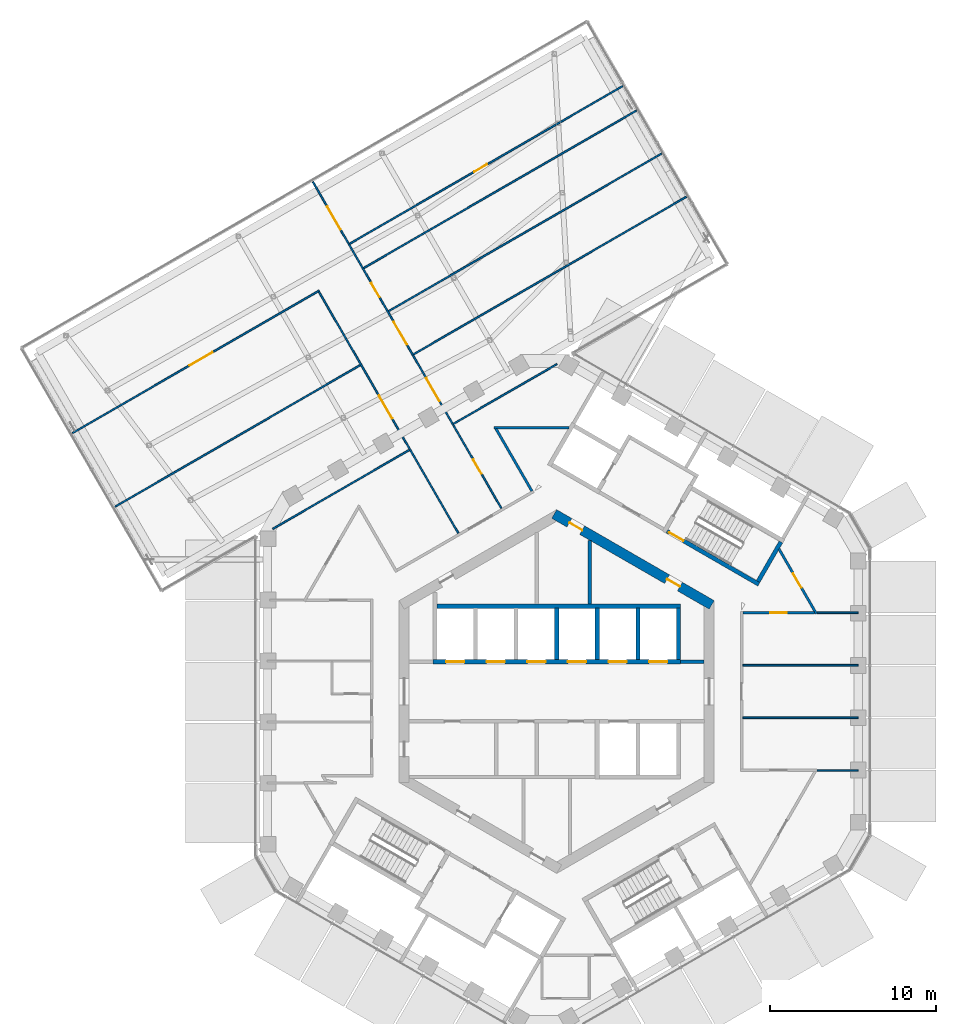
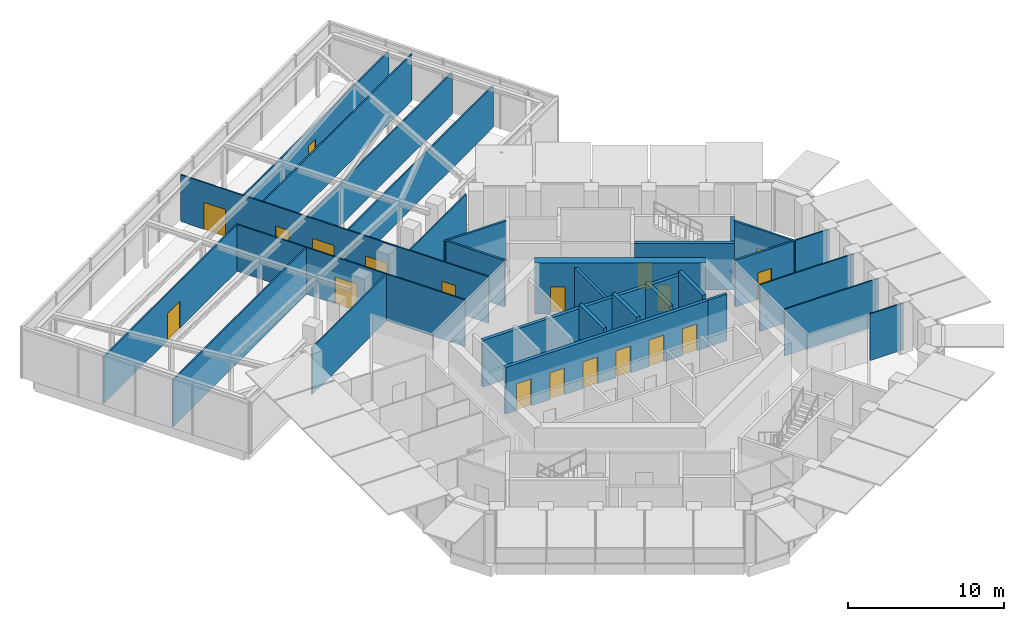
# One storey, part 21 of 27: 29 walls, 19 doors, 19 openings.
"""IFC4 building model written with IfcOpenShell, lengths in metres."""

from ifc_helpers import new_model, si_unit, direction, frame, frame_2d, origin, place, context, subcontext, project, spatial, rectangle, extrude, material, layer, layer_set, type_object, element, fill, save


model = new_model("IFC4")

# Units and contexts
model_context = context("Model", 3, precision=1e-05, world=origin(), true_north=direction((0.0, 1.0)))
body_context = subcontext(model_context, "Body", "Model", "MODEL_VIEW")
ifc_project = project(units=[si_unit("LENGTHUNIT", "METRE"), si_unit("AREAUNIT", "SQUARE_METRE"), si_unit("VOLUMEUNIT", "CUBIC_METRE"), si_unit("PLANEANGLEUNIT", "RADIAN"), si_unit("MASSUNIT", "GRAM", prefix="KILO")], contexts=[model_context])

# Site, building, storey
site_placement = place(None, origin())
site = spatial("IfcSite", under=ifc_project, at=site_placement, CompositionType="ELEMENT")
building_placement = place(site_placement, origin())
building = spatial("IfcBuilding", under=site, at=building_placement, Name="Ayvan Gate Tower", CompositionType="ELEMENT")
storey_placement = place(building_placement, frame((0.0, 0.0, 194.699951171875)))
storey = spatial("IfcBuildingStorey", under=building, at=storey_placement, Name="L52", CompositionType="ELEMENT", Elevation=194.699951171875)

# Wall, openings, doors
ifc_material_1 = material(Name="Concrete C60/75", Category="concrete")
ifc_layer_1 = layer(ifc_material_1, 0.60009765625)
ifc_layer_set_1 = layer_set([ifc_layer_1], Name="Concrete C60/75")
wall_type_1 = type_object("IfcWallType", Name="Core wall 600 C60/75", PredefinedType="SHEAR", material=ifc_layer_set_1)
wall_1_placement = place(storey_placement, frame((9.35009765625, 5.22509765625, 0.0), z_axis=(0.0, 0.0, 1.0), x_axis=(-0.866023993627, 0.500002442456, 0.0)))
wall_1 = element("IfcWall", 1, at=wall_1_placement, inside=storey, type_object=wall_type_1, Name="CORE-L52-1", PredefinedType="SHEAR", context=body_context, shape_type="SweptSolid", body=[
    extrude(rectangle(XDim=10.9697265625, YDim=0.60009765625, at=frame_2d((5.48486328125, 0.0))), origin(), (0.0, 0.0, 1.0), 4.0),
])
opening_1_placement = place(wall_1_placement, frame((9.01806640625, 0.0, 0.0)))
opening_1 = element("IfcOpeningElement", 2, at=opening_1_placement, cuts=wall_1, Name="Opening L52-D45", PredefinedType="OPENING", context=body_context, shape_type="SweptSolid", body=[
    extrude(rectangle(XDim=0.89990234375, YDim=2.10009765625, at=frame_2d((0.449951171875, 1.050048828125))), frame((0.0, 0.31005859375, 0.0), z_axis=(0.0, -1.0, 0.0), x_axis=(1.0, 0.0, 0.0)), (0.0, 0.0, 1.0), 0.6201171875),
])
opening_2_placement = place(wall_1_placement, frame((2.2109375, 0.0, 0.0)))
opening_2 = element("IfcOpeningElement", 3, at=opening_2_placement, cuts=wall_1, Name="Opening L52-D46", PredefinedType="OPENING", context=body_context, shape_type="SweptSolid", body=[
    extrude(rectangle(XDim=0.89990234375, YDim=2.10009765625, at=frame_2d((0.449951171875, 1.050048828125))), frame((0.0, 0.31005859375, 0.0), z_axis=(0.0, -1.0, 0.0), x_axis=(1.0, 0.0, 0.0)), (0.0, 0.0, 1.0), 0.6201171875),
])
ifc_material_2 = material(Name="Timber door leaf", Category="wood")
door_type_1 = type_object("IfcDoorType", Name="DT-900", OperationType="NOTDEFINED", PredefinedType="DOOR", material=ifc_material_2)
door_1_placement = place(opening_1_placement, origin())
door_1 = element("IfcDoor", 4, at=door_1_placement, inside=storey, type_object=door_type_1, Name="CD-L52-45", OperationType="SINGLE_SWING_LEFT", OverallHeight=2.10009765625, OverallWidth=0.89990234375, PredefinedType="DOOR", context=body_context, shape_type="SweptSolid", body=[
    extrude(rectangle(XDim=0.89990234375, YDim=2.10009765625, at=frame_2d((0.449951171875, 1.050048828125))), frame((0.0, 0.02490234375, 0.0), z_axis=(0.0, -1.0, 0.0), x_axis=(1.0, 0.0, 0.0)), (0.0, 0.0, 1.0), 0.050048828125),
])
fill(opening_1, door_1)
door_2_placement = place(opening_2_placement, origin())
door_2 = element("IfcDoor", 5, at=door_2_placement, inside=storey, type_object=door_type_1, Name="CD-L52-46", OperationType="SINGLE_SWING_RIGHT", OverallHeight=2.10009765625, OverallWidth=0.89990234375, PredefinedType="DOOR", context=body_context, shape_type="SweptSolid", body=[
    extrude(rectangle(XDim=0.89990234375, YDim=2.10009765625, at=frame_2d((0.449951171875, 1.050048828125))), frame((0.0, 0.02490234375, 0.0), z_axis=(0.0, -1.0, 0.0), x_axis=(1.0, 0.0, 0.0)), (0.0, 0.0, 1.0), 0.050048828125),
])
fill(opening_2, door_2)

# Walls
ifc_material_3 = material(Name="Plasterboard on steel stud", Category="steel")
ifc_layer_2 = layer(ifc_material_3, 0.14990234375)
ifc_layer_set_2 = layer_set([ifc_layer_2], Name="Plasterboard on steel stud")
wall_type_2 = type_object("IfcWallType", Name="WT-CORR-150", PredefinedType="PARTITIONING", material=ifc_layer_set_2)
wall_2_placement = place(storey_placement, frame((-3.77392578125, 15.91259765625, 0.0), z_axis=(0.0, 0.0, 1.0), x_axis=(1.0, 0.0, 0.0)))
element("IfcWall", 6, at=wall_2_placement, inside=storey, type_object=wall_type_2, Name="IW-L52-042", PredefinedType="PARTITIONING", context=body_context, shape_type="SweptSolid", body=[
    extrude(rectangle(XDim=4.522216796875, YDim=0.14990234375, at=frame_2d((2.26123046875, 0.0))), origin(), (0.0, 0.0, 1.0), 3.650146484375),
])
wall_3_placement = place(storey_placement, frame((-1.496337890625, 12.09765625, 0.0), z_axis=(0.0, 0.0, 1.0), x_axis=(-0.500038050611, 0.866003434139, 0.0)))
element("IfcWall", 7, at=wall_3_placement, inside=storey, type_object=wall_type_2, Name="IW-L52-049", PredefinedType="PARTITIONING", context=body_context, shape_type="SweptSolid", body=[
    extrude(rectangle(XDim=4.330322265625, YDim=0.14990234375, at=frame_2d((2.1650390625, 0.0))), origin(), (0.0, 0.0, 1.0), 3.650146484375),
])

# Wall, opening, door
wall_4_placement = place(storey_placement, frame((13.406494140625, 8.6044921875, 0.0), z_axis=(0.0, 0.0, 1.0), x_axis=(0.500005951055, -0.866021967914, 0.0)))
wall_4 = element("IfcWall", 8, at=wall_4_placement, inside=storey, type_object=wall_type_2, Name="IW-L52-101", PredefinedType="PARTITIONING", context=body_context, shape_type="SweptSolid", body=[
    extrude(rectangle(XDim=4.5224609375, YDim=0.14990234375, at=frame_2d((2.26123046875, 0.0))), origin(), (0.0, 0.0, 1.0), 3.650146484375),
])
opening_3_placement = place(wall_4_placement, frame((1.706298828125, 0.0, 0.0)))
opening_3 = element("IfcOpeningElement", 9, at=opening_3_placement, cuts=wall_4, Name="Opening L52-D25", PredefinedType="OPENING", context=body_context, shape_type="SweptSolid", body=[
    extrude(rectangle(XDim=1.0, YDim=2.10009765625, at=frame_2d((0.5, 1.050048828125))), frame((0.0, 0.0849609375, 0.0), z_axis=(0.0, -1.0, 0.0), x_axis=(1.0, 0.0, 0.0)), (0.0, 0.0, 1.0), 0.169921875),
])
door_type_2 = type_object("IfcDoorType", Name="DT-1000", OperationType="NOTDEFINED", PredefinedType="DOOR", material=ifc_material_2)
door_3_placement = place(opening_3_placement, origin())
door_3 = element("IfcDoor", 10, at=door_3_placement, inside=storey, type_object=door_type_2, Name="ID-L52-025", OperationType="SINGLE_SWING_LEFT", OverallHeight=2.10009765625, OverallWidth=1.0, PredefinedType="DOOR", context=body_context, shape_type="SweptSolid", body=[
    extrude(rectangle(XDim=1.0, YDim=2.10009765625, at=frame_2d((0.5, 1.050048828125))), frame((0.0, 0.02490234375, 0.0), z_axis=(0.0, -1.0, 0.0), x_axis=(1.0, 0.0, 0.0)), (0.0, 0.0, 1.0), 0.050048828125),
])
fill(opening_3, door_3)

wall_5_placement = place(storey_placement, frame((15.555419921875, 4.7529296875, 0.0), z_axis=(0.0, 0.0, 1.0), x_axis=(-1.0, 0.0, 0.0)))
wall_5 = element("IfcWall", 11, at=wall_5_placement, inside=storey, type_object=wall_type_2, Name="IW-L52-104", PredefinedType="PARTITIONING", context=body_context, shape_type="SweptSolid", body=[
    extrude(rectangle(XDim=4.330322265625, YDim=0.14990234375, at=frame_2d((2.1650390625, 0.0))), origin(), (0.0, 0.0, 1.0), 3.650146484375),
])
opening_4_placement = place(wall_5_placement, frame((1.6650390625, 0.0, 0.0)))
opening_4 = element("IfcOpeningElement", 12, at=opening_4_placement, cuts=wall_5, Name="Opening L52-D24", PredefinedType="OPENING", context=body_context, shape_type="SweptSolid", body=[
    extrude(rectangle(XDim=1.0, YDim=2.10009765625, at=frame_2d((0.5, 1.050048828125))), frame((0.0, 0.0849609375, 0.0), z_axis=(0.0, -1.0, 0.0), x_axis=(1.0, 0.0, 0.0)), (0.0, 0.0, 1.0), 0.169921875),
])
door_4_placement = place(opening_4_placement, origin())
door_4 = element("IfcDoor", 13, at=door_4_placement, inside=storey, type_object=door_type_2, Name="ID-L52-024", OperationType="SINGLE_SWING_RIGHT", OverallHeight=2.10009765625, OverallWidth=1.0, PredefinedType="DOOR", context=body_context, shape_type="SweptSolid", body=[
    extrude(rectangle(XDim=1.0, YDim=2.10009765625, at=frame_2d((0.5, 1.050048828125))), frame((0.0, 0.02490234375, 0.0), z_axis=(0.0, -1.0, 0.0), x_axis=(1.0, 0.0, 0.0)), (0.0, 0.0, 1.0), 0.050048828125),
])
fill(opening_4, door_4)

# Walls
ifc_layer_3 = layer(ifc_material_3, 0.10009765625)
ifc_layer_set_3 = layer_set([ifc_layer_3], Name="Plasterboard on steel stud")
wall_type_3 = type_object("IfcWallType", Name="WT-PART-100", PredefinedType="PARTITIONING", material=ifc_layer_set_3)
wall_6_placement = place(storey_placement, frame((-26.639404296875, 11.148681640625, 0.0), z_axis=(0.0, 0.0, 1.0), x_axis=(0.866027084608, 0.499997088717, 0.0)))
element("IfcWall", 14, at=wall_6_placement, inside=storey, type_object=wall_type_3, Name="IW-L52-000", PredefinedType="PARTITIONING", context=body_context, shape_type="SweptSolid", body=[
    extrude(rectangle(XDim=17.0830078125, YDim=0.10009765625, at=frame_2d((8.54150390625, 0.0))), origin(), (0.0, 0.0, 1.0), 3.650146484375),
])
wall_7_placement = place(storey_placement, frame((-17.132080078125, 9.810546875, 0.0), z_axis=(0.0, 0.0, 1.0), x_axis=(0.866021566356, 0.500006646563, 0.0)))
element("IfcWall", 15, at=wall_7_placement, inside=storey, type_object=wall_type_3, Name="IW-L52-002", PredefinedType="PARTITIONING", context=body_context, shape_type="SweptSolid", body=[
    extrude(rectangle(XDim=9.518310546875, YDim=0.10009765625, at=frame_2d((4.75927734375, 0.0))), origin(), (0.0, 0.0, 1.0), 3.650146484375),
])

# Wall, opening, door
wall_8_placement = place(storey_placement, frame((-14.32373046875, 24.18359375, 0.0), z_axis=(0.0, 0.0, 1.0), x_axis=(-0.866026824701, -0.499997538892, 0.0)))
wall_8 = element("IfcWall", 16, at=wall_8_placement, inside=storey, type_object=wall_type_3, Name="IW-L52-007", PredefinedType="PARTITIONING", context=body_context, shape_type="SweptSolid", body=[
    extrude(rectangle(XDim=17.18310546875, YDim=0.10009765625, at=frame_2d((8.591552734375, 0.0))), origin(), (0.0, 0.0, 1.0), 3.650146484375),
])
opening_5_placement = place(wall_8_placement, frame((7.443603515625, 0.0, 0.0)))
opening_5 = element("IfcOpeningElement", 17, at=opening_5_placement, cuts=wall_8, Name="Opening L52-D43", PredefinedType="OPENING", context=body_context, shape_type="SweptSolid", body=[
    extrude(rectangle(XDim=1.60009765625, YDim=2.10009765625, at=frame_2d((0.800048828125, 1.050048828125))), frame((0.0, 0.06005859375, 0.0), z_axis=(0.0, -1.0, 0.0), x_axis=(1.0, 0.0, 0.0)), (0.0, 0.0, 1.0), 0.1201171875),
])
door_type_3 = type_object("IfcDoorType", Name="DT-1600", OperationType="NOTDEFINED", PredefinedType="DOOR", material=ifc_material_2)
door_5_placement = place(opening_5_placement, origin())
door_5 = element("IfcDoor", 18, at=door_5_placement, inside=storey, type_object=door_type_3, Name="ID-L52-043", OperationType="SINGLE_SWING_LEFT", OverallHeight=2.10009765625, OverallWidth=1.60009765625, PredefinedType="DOOR", context=body_context, shape_type="SweptSolid", body=[
    extrude(rectangle(XDim=1.60009765625, YDim=2.10009765625, at=frame_2d((0.800048828125, 1.050048828125))), frame((0.0, 0.02490234375, 0.0), z_axis=(0.0, -1.0, 0.0), x_axis=(1.0, 0.0, 0.0)), (0.0, 0.0, 1.0), 0.050048828125),
])
fill(opening_5, door_5)

# Wall, openings, doors
wall_9_placement = place(storey_placement, frame((-14.70751953125, 30.748291015625, 0.0), z_axis=(0.0, 0.0, 1.0), x_axis=(0.499993923875, -0.866028911808, 0.0)))
wall_9 = element("IfcWall", 19, at=wall_9_placement, inside=storey, type_object=wall_type_3, Name="IW-L52-008", PredefinedType="PARTITIONING", context=body_context, shape_type="SweptSolid", body=[
    extrude(rectangle(XDim=22.757568359375, YDim=0.10009765625, at=frame_2d((11.37890625, 0.0))), origin(), (0.0, 0.0, 1.0), 3.650146484375),
])
opening_6_placement = place(wall_9_placement, frame((1.73095703125, 0.0, 0.0)))
opening_6 = element("IfcOpeningElement", 20, at=opening_6_placement, cuts=wall_9, Name="Opening L52-D35", PredefinedType="OPENING", context=body_context, shape_type="SweptSolid", body=[
    extrude(rectangle(XDim=1.60009765625, YDim=2.10009765625, at=frame_2d((0.800048828125, 1.050048828125))), frame((0.0, 0.06005859375, 0.0), z_axis=(0.0, -1.0, 0.0), x_axis=(1.0, 0.0, 0.0)), (0.0, 0.0, 1.0), 0.1201171875),
])
opening_7_placement = place(wall_9_placement, frame((19.336181640625, 0.0, 0.0)))
opening_7 = element("IfcOpeningElement", 21, at=opening_7_placement, cuts=wall_9, Name="Opening L52-D36", PredefinedType="OPENING", context=body_context, shape_type="SweptSolid", body=[
    extrude(rectangle(XDim=1.0, YDim=2.10009765625, at=frame_2d((0.5, 1.050048828125))), frame((0.0, 0.06005859375, 0.0), z_axis=(0.0, -1.0, 0.0), x_axis=(1.0, 0.0, 0.0)), (0.0, 0.0, 1.0), 0.1201171875),
])
opening_8_placement = place(wall_9_placement, frame((13.666748046875, 0.0, 0.0)))
opening_8 = element("IfcOpeningElement", 22, at=opening_8_placement, cuts=wall_9, Name="Opening L52-D37", PredefinedType="OPENING", context=body_context, shape_type="SweptSolid", body=[
    extrude(rectangle(XDim=1.60009765625, YDim=2.10009765625, at=frame_2d((0.800048828125, 1.050048828125))), frame((0.0, 0.06005859375, 0.0), z_axis=(0.0, -1.0, 0.0), x_axis=(1.0, 0.0, 0.0)), (0.0, 0.0, 1.0), 0.1201171875),
])
opening_9_placement = place(wall_9_placement, frame((9.74609375, 0.0, 0.0)))
opening_9 = element("IfcOpeningElement", 23, at=opening_9_placement, cuts=wall_9, Name="Opening L52-D38", PredefinedType="OPENING", context=body_context, shape_type="SweptSolid", body=[
    extrude(rectangle(XDim=1.60009765625, YDim=2.10009765625, at=frame_2d((0.800048828125, 1.050048828125))), frame((0.0, 0.06005859375, 0.0), z_axis=(0.0, -1.0, 0.0), x_axis=(1.0, 0.0, 0.0)), (0.0, 0.0, 1.0), 0.1201171875),
])
opening_10_placement = place(wall_9_placement, frame((7.041015625, 0.0, 0.0)))
opening_10 = element("IfcOpeningElement", 24, at=opening_10_placement, cuts=wall_9, Name="Opening L52-D39", PredefinedType="OPENING", context=body_context, shape_type="SweptSolid", body=[
    extrude(rectangle(XDim=1.0, YDim=2.10009765625, at=frame_2d((0.5, 1.050048828125))), frame((0.0, 0.06005859375, 0.0), z_axis=(0.0, -1.0, 0.0), x_axis=(1.0, 0.0, 0.0)), (0.0, 0.0, 1.0), 0.1201171875),
])
door_6_placement = place(opening_7_placement, origin())
door_6 = element("IfcDoor", 25, at=door_6_placement, inside=storey, type_object=door_type_2, Name="ID-L52-036", OperationType="SINGLE_SWING_RIGHT", OverallHeight=2.10009765625, OverallWidth=1.0, PredefinedType="DOOR", context=body_context, shape_type="SweptSolid", body=[
    extrude(rectangle(XDim=1.0, YDim=2.10009765625, at=frame_2d((0.5, 1.050048828125))), frame((0.0, 0.02490234375, 0.0), z_axis=(0.0, -1.0, 0.0), x_axis=(1.0, 0.0, 0.0)), (0.0, 0.0, 1.0), 0.050048828125),
])
fill(opening_7, door_6)
door_7_placement = place(opening_10_placement, origin())
door_7 = element("IfcDoor", 26, at=door_7_placement, inside=storey, type_object=door_type_2, Name="ID-L52-039", OperationType="SINGLE_SWING_LEFT", OverallHeight=2.10009765625, OverallWidth=1.0, PredefinedType="DOOR", context=body_context, shape_type="SweptSolid", body=[
    extrude(rectangle(XDim=1.0, YDim=2.10009765625, at=frame_2d((0.5, 1.050048828125))), frame((0.0, 0.02490234375, 0.0), z_axis=(0.0, -1.0, 0.0), x_axis=(1.0, 0.0, 0.0)), (0.0, 0.0, 1.0), 0.050048828125),
])
fill(opening_10, door_7)
door_8_placement = place(opening_6_placement, origin())
door_8 = element("IfcDoor", 27, at=door_8_placement, inside=storey, type_object=door_type_3, Name="ID-L52-035", OperationType="SINGLE_SWING_LEFT", OverallHeight=2.10009765625, OverallWidth=1.60009765625, PredefinedType="DOOR", context=body_context, shape_type="SweptSolid", body=[
    extrude(rectangle(XDim=1.60009765625, YDim=2.10009765625, at=frame_2d((0.800048828125, 1.050048828125))), frame((0.0, 0.02490234375, 0.0), z_axis=(0.0, -1.0, 0.0), x_axis=(1.0, 0.0, 0.0)), (0.0, 0.0, 1.0), 0.050048828125),
])
fill(opening_6, door_8)
door_9_placement = place(opening_8_placement, origin())
door_9 = element("IfcDoor", 28, at=door_9_placement, inside=storey, type_object=door_type_3, Name="ID-L52-037", OperationType="SINGLE_SWING_LEFT", OverallHeight=2.10009765625, OverallWidth=1.60009765625, PredefinedType="DOOR", context=body_context, shape_type="SweptSolid", body=[
    extrude(rectangle(XDim=1.60009765625, YDim=2.10009765625, at=frame_2d((0.800048828125, 1.050048828125))), frame((0.0, 0.02490234375, 0.0), z_axis=(0.0, -1.0, 0.0), x_axis=(1.0, 0.0, 0.0)), (0.0, 0.0, 1.0), 0.050048828125),
])
fill(opening_8, door_9)
door_10_placement = place(opening_9_placement, origin())
door_10 = element("IfcDoor", 29, at=door_10_placement, inside=storey, type_object=door_type_3, Name="ID-L52-038", OperationType="SINGLE_SWING_RIGHT", OverallHeight=2.10009765625, OverallWidth=1.60009765625, PredefinedType="DOOR", context=body_context, shape_type="SweptSolid", body=[
    extrude(rectangle(XDim=1.60009765625, YDim=2.10009765625, at=frame_2d((0.800048828125, 1.050048828125))), frame((0.0, 0.02490234375, 0.0), z_axis=(0.0, -1.0, 0.0), x_axis=(1.0, 0.0, 0.0)), (0.0, 0.0, 1.0), 0.050048828125),
])
fill(opening_9, door_10)

# Wall, opening, door
wall_10_placement = place(storey_placement, frame((-14.342041015625, 24.115234375, 0.0), z_axis=(0.0, 0.0, 1.0), x_axis=(0.500000372387, -0.866025188786, 0.0)))
wall_10 = element("IfcWall", 30, at=wall_10_placement, inside=storey, type_object=wall_type_3, Name="IW-L52-020", PredefinedType="PARTITIONING", context=body_context, shape_type="SweptSolid", body=[
    extrude(rectangle(XDim=16.83056640625, YDim=0.10009765625, at=frame_2d((8.415283203125, 0.0))), origin(), (0.0, 0.0, 1.0), 3.650146484375),
])
opening_11_placement = place(wall_10_placement, frame((7.237060546875, 0.0, 0.0)))
opening_11 = element("IfcOpeningElement", 31, at=opening_11_placement, cuts=wall_10, Name="Opening L52-D42", PredefinedType="OPENING", context=body_context, shape_type="SweptSolid", body=[
    extrude(rectangle(XDim=1.60009765625, YDim=2.10009765625, at=frame_2d((0.800048828125, 1.050048828125))), frame((0.0, 0.06005859375, 0.0), z_axis=(0.0, -1.0, 0.0), x_axis=(1.0, 0.0, 0.0)), (0.0, 0.0, 1.0), 0.1201171875),
])
door_11_placement = place(opening_11_placement, origin())
door_11 = element("IfcDoor", 32, at=door_11_placement, inside=storey, type_object=door_type_3, Name="ID-L52-042", OperationType="SINGLE_SWING_RIGHT", OverallHeight=2.10009765625, OverallWidth=1.60009765625, PredefinedType="DOOR", context=body_context, shape_type="SweptSolid", body=[
    extrude(rectangle(XDim=1.60009765625, YDim=2.10009765625, at=frame_2d((0.800048828125, 1.050048828125))), frame((0.0, 0.02490234375, 0.0), z_axis=(0.0, -1.0, 0.0), x_axis=(1.0, 0.0, 0.0)), (0.0, 0.0, 1.0), 0.050048828125),
])
fill(opening_11, door_11)

# Walls
wall_11_placement = place(storey_placement, frame((-11.64501953125, 25.543701171875, 0.0), z_axis=(0.0, 0.0, 1.0), x_axis=(0.866029456041, 0.49999298122, 0.0)))
element("IfcWall", 33, at=wall_11_placement, inside=storey, type_object=wall_type_3, Name="IW-L52-021", PredefinedType="PARTITIONING", context=body_context, shape_type="SweptSolid", body=[
    extrude(rectangle(XDim=19.009033203125, YDim=0.10009765625, at=frame_2d((9.50439453125, 0.0))), origin(), (0.0, 0.0, 1.0), 3.650146484375),
])
wall_12_placement = place(storey_placement, frame((-10.142333984375, 22.941162109375, 0.0), z_axis=(0.0, 0.0, 1.0), x_axis=(0.866020683813, 0.50000817514, 0.0)))
element("IfcWall", 34, at=wall_12_placement, inside=storey, type_object=wall_type_3, Name="IW-L52-025", PredefinedType="PARTITIONING", context=body_context, shape_type="SweptSolid", body=[
    extrude(rectangle(XDim=19.009033203125, YDim=0.10009765625, at=frame_2d((9.50439453125, 0.0))), origin(), (0.0, 0.0, 1.0), 3.275146484375),
])
wall_13_placement = place(storey_placement, frame((-8.639892578125, 20.338623046875, 0.0), z_axis=(0.0, 0.0, 1.0), x_axis=(0.866023894726, 0.500002613756, 0.0)))
element("IfcWall", 35, at=wall_13_placement, inside=storey, type_object=wall_type_3, Name="IW-L52-029", PredefinedType="PARTITIONING", context=body_context, shape_type="SweptSolid", body=[
    extrude(rectangle(XDim=19.00927734375, YDim=0.10009765625, at=frame_2d((9.504638671875, 0.0))), origin(), (0.0, 0.0, 1.0), 3.275146484375),
])
wall_14_placement = place(storey_placement, frame((-6.221923828125, 16.150634765625, 0.0), z_axis=(0.0, 0.0, 1.0), x_axis=(0.866025419677, 0.499999972474, 0.0)))
element("IfcWall", 36, at=wall_14_placement, inside=storey, type_object=wall_type_3, Name="IW-L52-039", PredefinedType="PARTITIONING", context=body_context, shape_type="SweptSolid", body=[
    extrude(rectangle(XDim=7.208984375, YDim=0.10009765625, at=frame_2d((3.6044921875, 0.0))), origin(), (0.0, 0.0, 1.0), 3.650146484375),
])

# Wall, opening, door
wall_15_placement = place(storey_placement, frame((3.970947265625, 36.513916015625, 0.0), z_axis=(0.0, 0.0, 1.0), x_axis=(-0.866026245231, -0.499998542569, 0.0)))
wall_15 = element("IfcWall", 37, at=wall_15_placement, inside=storey, type_object=wall_type_3, Name="IW-L52-072", PredefinedType="PARTITIONING", context=body_context, shape_type="SweptSolid", body=[
    extrude(rectangle(XDim=19.0087890625, YDim=0.10009765625, at=frame_2d((9.50439453125, 0.0))), origin(), (0.0, 0.0, 1.0), 3.275146484375),
])
opening_12_placement = place(wall_15_placement, frame((9.427490234375, 0.0, 0.0)))
opening_12 = element("IfcOpeningElement", 38, at=opening_12_placement, cuts=wall_15, Name="Opening L52-D40", PredefinedType="OPENING", context=body_context, shape_type="SweptSolid", body=[
    extrude(rectangle(XDim=0.89990234375, YDim=2.10009765625, at=frame_2d((0.449951171875, 1.050048828125))), frame((0.0, 0.06005859375, 0.0), z_axis=(0.0, -1.0, 0.0), x_axis=(1.0, 0.0, 0.0)), (0.0, 0.0, 1.0), 0.1201171875),
])
door_12_placement = place(opening_12_placement, origin())
door_12 = element("IfcDoor", 39, at=door_12_placement, inside=storey, type_object=door_type_1, Name="ID-L52-040", OperationType="SINGLE_SWING_RIGHT", OverallHeight=2.10009765625, OverallWidth=0.89990234375, PredefinedType="DOOR", context=body_context, shape_type="SweptSolid", body=[
    extrude(rectangle(XDim=0.89990234375, YDim=2.10009765625, at=frame_2d((0.449951171875, 1.050048828125))), frame((0.0, 0.02490234375, 0.0), z_axis=(0.0, -1.0, 0.0), x_axis=(1.0, 0.0, 0.0)), (0.0, 0.0, 1.0), 0.050048828125),
])
fill(opening_12, door_12)

# Walls
for number, where, z_axis, x_axis, name in (
    (40, (11.22509765625, -1.584228515625, 0.0), (0.0, 0.0, 1.0), (1.0, 0.0, 0.0), "IW-L52-097"),
    (41, (11.22509765625, 1.584228515625, 0.0), (0.0, 0.0, 1.0), (1.0, 0.0, 0.0), "IW-L52-099"),
):
    element("IfcWall", number, at=place(storey_placement, frame(where, z_axis=z_axis, x_axis=x_axis)), inside=storey, type_object=wall_type_3, Name=name, PredefinedType="PARTITIONING", context=body_context, shape_type="SweptSolid", body=[
        extrude(rectangle(XDim=6.96142578125, YDim=0.10009765625, at=frame_2d((3.480712890625, 0.0))), origin(), (0.0, 0.0, 1.0), 3.650146484375),
    ])
wall_16_placement = place(storey_placement, frame((15.705322265625, 4.7529296875, 0.0), z_axis=(0.0, 0.0, 1.0), x_axis=(1.0, 0.0, 0.0)))
element("IfcWall", 42, at=wall_16_placement, inside=storey, type_object=wall_type_3, Name="IW-L52-105", PredefinedType="PARTITIONING", context=body_context, shape_type="SweptSolid", body=[
    extrude(rectangle(XDim=2.481201171875, YDim=0.10009765625, at=frame_2d((1.24072265625, 0.0))), origin(), (0.0, 0.0, 1.0), 3.650146484375),
])
wall_17_placement = place(storey_placement, frame((18.1865234375, -4.7529296875, 0.0), z_axis=(0.0, 0.0, 1.0), x_axis=(-1.0, 0.0, 0.0)))
element("IfcWall", 43, at=wall_17_placement, inside=storey, type_object=wall_type_3, Name="IW-L52-107", PredefinedType="PARTITIONING", context=body_context, shape_type="SweptSolid", body=[
    extrude(rectangle(XDim=2.4814453125, YDim=0.10009765625, at=frame_2d((1.24072265625, 0.0))), origin(), (0.0, 0.0, 1.0), 3.650146484375),
])
ifc_layer_4 = layer(ifc_material_3, 0.199951171875)
ifc_layer_set_4 = layer_set([ifc_layer_4], Name="Plasterboard on steel stud")
wall_type_4 = type_object("IfcWallType", Name="WT-RATED-200", PredefinedType="PARTITIONING", material=ifc_layer_set_4)
wall_18_placement = place(storey_placement, frame((2.0, 9.1220703125, 0.0), z_axis=(0.0, 0.0, 1.0), x_axis=(0.0, -1.0, 0.0)))
element("IfcWall", 44, at=wall_18_placement, inside=storey, type_object=wall_type_4, Name="IW-L52-066", PredefinedType="PARTITIONING", context=body_context, shape_type="SweptSolid", body=[
    extrude(rectangle(XDim=3.84716796875, YDim=0.199951171875, at=frame_2d((1.923583984375, 0.0))), origin(), (0.0, 0.0, 1.0), 3.650146484375),
])
wall_19_placement = place(storey_placement, frame((7.474853515625, 1.800048828125, 0.0), z_axis=(0.0, 0.0, 1.0), x_axis=(1.0, 0.0, 0.0)))
element("IfcWall", 45, at=wall_19_placement, inside=storey, type_object=wall_type_4, Name="IW-L52-086", PredefinedType="PARTITIONING", context=body_context, shape_type="SweptSolid", body=[
    extrude(rectangle(XDim=1.425048828125, YDim=0.199951171875, at=frame_2d((0.71240234375, 0.0))), origin(), (0.0, 0.0, 1.0), 3.650146484375),
])

# Wall, openings, doors
ifc_material_4 = material(Name="Concrete C50/60", Category="concrete")
ifc_layer_5 = layer(ifc_material_4, 0.25)
ifc_layer_set_5 = layer_set([ifc_layer_5], Name="Concrete C50/60")
wall_type_5 = type_object("IfcWallType", Name="WT-RC-250", PredefinedType="SHEAR", material=ifc_layer_set_5)
wall_20_placement = place(storey_placement, frame((-7.47509765625, 1.800048828125, 0.0), z_axis=(0.0, 0.0, 1.0), x_axis=(1.0, 0.0, 0.0)))
wall_20 = element("IfcWall", 46, at=wall_20_placement, inside=storey, type_object=wall_type_5, Name="IW-L52-034", PredefinedType="SHEAR", context=body_context, shape_type="SweptSolid", body=[
    extrude(rectangle(XDim=14.9501953125, YDim=0.25, at=frame_2d((7.47509765625, 0.0))), origin(), (0.0, 0.0, 1.0), 3.650146484375),
])
opening_13_placement = place(wall_20_placement, frame((0.800048828125, 0.0, 0.0)))
opening_13 = element("IfcOpeningElement", 47, at=opening_13_placement, cuts=wall_20, Name="Opening L52-LD-HR1", PredefinedType="OPENING", context=body_context, shape_type="SweptSolid", body=[
    extrude(rectangle(XDim=1.10009765625, YDim=2.10009765625, at=frame_2d((0.550048828125, 1.050048828125))), frame((0.0, 0.135009765625, 0.0), z_axis=(0.0, -1.0, 0.0), x_axis=(1.0, 0.0, 0.0)), (0.0, 0.0, 1.0), 0.27001953125),
])
opening_14_placement = place(wall_20_placement, frame((3.25, 0.0, 0.0)))
opening_14 = element("IfcOpeningElement", 48, at=opening_14_placement, cuts=wall_20, Name="Opening L52-LD-HR2", PredefinedType="OPENING", context=body_context, shape_type="SweptSolid", body=[
    extrude(rectangle(XDim=1.10009765625, YDim=2.10009765625, at=frame_2d((0.550048828125, 1.050048828125))), frame((0.0, 0.135009765625, 0.0), z_axis=(0.0, -1.0, 0.0), x_axis=(1.0, 0.0, 0.0)), (0.0, 0.0, 1.0), 0.27001953125),
])
opening_15_placement = place(wall_20_placement, frame((5.7001953125, 0.0, 0.0)))
opening_15 = element("IfcOpeningElement", 49, at=opening_15_placement, cuts=wall_20, Name="Opening L52-LD-HR3", PredefinedType="OPENING", context=body_context, shape_type="SweptSolid", body=[
    extrude(rectangle(XDim=1.10009765625, YDim=2.10009765625, at=frame_2d((0.550048828125, 1.050048828125))), frame((0.0, 0.135009765625, 0.0), z_axis=(0.0, -1.0, 0.0), x_axis=(1.0, 0.0, 0.0)), (0.0, 0.0, 1.0), 0.27001953125),
])
opening_16_placement = place(wall_20_placement, frame((8.150146484375, 0.0, 0.0)))
opening_16 = element("IfcOpeningElement", 50, at=opening_16_placement, cuts=wall_20, Name="Opening L52-LD-HR4", PredefinedType="OPENING", context=body_context, shape_type="SweptSolid", body=[
    extrude(rectangle(XDim=1.10009765625, YDim=2.10009765625, at=frame_2d((0.550048828125, 1.050048828125))), frame((0.0, 0.135009765625, 0.0), z_axis=(0.0, -1.0, 0.0), x_axis=(1.0, 0.0, 0.0)), (0.0, 0.0, 1.0), 0.27001953125),
])
opening_17_placement = place(wall_20_placement, frame((10.60009765625, 0.0, 0.0)))
opening_17 = element("IfcOpeningElement", 51, at=opening_17_placement, cuts=wall_20, Name="Opening L52-LD-HR5", PredefinedType="OPENING", context=body_context, shape_type="SweptSolid", body=[
    extrude(rectangle(XDim=1.10009765625, YDim=2.10009765625, at=frame_2d((0.550048828125, 1.050048828125))), frame((0.0, 0.135009765625, 0.0), z_axis=(0.0, -1.0, 0.0), x_axis=(1.0, 0.0, 0.0)), (0.0, 0.0, 1.0), 0.27001953125),
])
opening_18_placement = place(wall_20_placement, frame((13.050048828125, 0.0, 0.0)))
opening_18 = element("IfcOpeningElement", 52, at=opening_18_placement, cuts=wall_20, Name="Opening L52-LD-HR6", PredefinedType="OPENING", context=body_context, shape_type="SweptSolid", body=[
    extrude(rectangle(XDim=1.10009765625, YDim=2.10009765625, at=frame_2d((0.550048828125, 1.050048828125))), frame((0.0, 0.135009765625, 0.0), z_axis=(0.0, -1.0, 0.0), x_axis=(1.0, 0.0, 0.0)), (0.0, 0.0, 1.0), 0.27001953125),
])
ifc_material_5 = material(Name="Stainless steel landing door", Category="steel")
door_type_4 = type_object("IfcDoorType", Name="DT-LANDING-1100", OperationType="SLIDING_TO_LEFT", PredefinedType="DOOR", material=ifc_material_5)
door_13_placement = place(opening_13_placement, origin())
door_13 = element("IfcDoor", 53, at=door_13_placement, inside=storey, type_object=door_type_4, Name="ID-L52-001", OperationType="SLIDING_TO_LEFT", OverallHeight=2.10009765625, OverallWidth=1.10009765625, PredefinedType="DOOR", context=body_context, shape_type="SweptSolid", body=[
    extrude(rectangle(XDim=1.10009765625, YDim=2.10009765625, at=frame_2d((0.550048828125, 1.050048828125))), frame((0.0, 0.02490234375, 0.0), z_axis=(0.0, -1.0, 0.0), x_axis=(1.0, 0.0, 0.0)), (0.0, 0.0, 1.0), 0.050048828125),
])
fill(opening_13, door_13)
door_14_placement = place(opening_14_placement, origin())
door_14 = element("IfcDoor", 54, at=door_14_placement, inside=storey, type_object=door_type_4, Name="ID-L52-002", OperationType="SLIDING_TO_LEFT", OverallHeight=2.10009765625, OverallWidth=1.10009765625, PredefinedType="DOOR", context=body_context, shape_type="SweptSolid", body=[
    extrude(rectangle(XDim=1.10009765625, YDim=2.10009765625, at=frame_2d((0.550048828125, 1.050048828125))), frame((0.0, 0.02490234375, 0.0), z_axis=(0.0, -1.0, 0.0), x_axis=(1.0, 0.0, 0.0)), (0.0, 0.0, 1.0), 0.050048828125),
])
fill(opening_14, door_14)
door_15_placement = place(opening_15_placement, origin())
door_15 = element("IfcDoor", 55, at=door_15_placement, inside=storey, type_object=door_type_4, Name="ID-L52-003", OperationType="SLIDING_TO_LEFT", OverallHeight=2.10009765625, OverallWidth=1.10009765625, PredefinedType="DOOR", context=body_context, shape_type="SweptSolid", body=[
    extrude(rectangle(XDim=1.10009765625, YDim=2.10009765625, at=frame_2d((0.550048828125, 1.050048828125))), frame((0.0, 0.02490234375, 0.0), z_axis=(0.0, -1.0, 0.0), x_axis=(1.0, 0.0, 0.0)), (0.0, 0.0, 1.0), 0.050048828125),
])
fill(opening_15, door_15)
door_16_placement = place(opening_16_placement, origin())
door_16 = element("IfcDoor", 56, at=door_16_placement, inside=storey, type_object=door_type_4, Name="ID-L52-004", OperationType="SLIDING_TO_LEFT", OverallHeight=2.10009765625, OverallWidth=1.10009765625, PredefinedType="DOOR", context=body_context, shape_type="SweptSolid", body=[
    extrude(rectangle(XDim=1.10009765625, YDim=2.10009765625, at=frame_2d((0.550048828125, 1.050048828125))), frame((0.0, 0.02490234375, 0.0), z_axis=(0.0, -1.0, 0.0), x_axis=(1.0, 0.0, 0.0)), (0.0, 0.0, 1.0), 0.050048828125),
])
fill(opening_16, door_16)
door_17_placement = place(opening_17_placement, origin())
door_17 = element("IfcDoor", 57, at=door_17_placement, inside=storey, type_object=door_type_4, Name="ID-L52-005", OperationType="SLIDING_TO_LEFT", OverallHeight=2.10009765625, OverallWidth=1.10009765625, PredefinedType="DOOR", context=body_context, shape_type="SweptSolid", body=[
    extrude(rectangle(XDim=1.10009765625, YDim=2.10009765625, at=frame_2d((0.550048828125, 1.050048828125))), frame((0.0, 0.02490234375, 0.0), z_axis=(0.0, -1.0, 0.0), x_axis=(1.0, 0.0, 0.0)), (0.0, 0.0, 1.0), 0.050048828125),
])
fill(opening_17, door_17)
door_18_placement = place(opening_18_placement, origin())
door_18 = element("IfcDoor", 58, at=door_18_placement, inside=storey, type_object=door_type_4, Name="ID-L52-006", OperationType="SLIDING_TO_LEFT", OverallHeight=2.10009765625, OverallWidth=1.10009765625, PredefinedType="DOOR", context=body_context, shape_type="SweptSolid", body=[
    extrude(rectangle(XDim=1.10009765625, YDim=2.10009765625, at=frame_2d((0.550048828125, 1.050048828125))), frame((0.0, 0.02490234375, 0.0), z_axis=(0.0, -1.0, 0.0), x_axis=(1.0, 0.0, 0.0)), (0.0, 0.0, 1.0), 0.050048828125),
])
fill(opening_18, door_18)

# Walls
wall_21_placement = place(storey_placement, frame((-7.22509765625, 5.14990234375, 0.0), z_axis=(0.0, 0.0, 1.0), x_axis=(1.0, 0.0, 0.0)))
element("IfcWall", 59, at=wall_21_placement, inside=storey, type_object=wall_type_5, Name="IW-L52-036", PredefinedType="SHEAR", context=body_context, shape_type="SweptSolid", body=[
    extrude(rectangle(XDim=14.7001953125, YDim=0.25, at=frame_2d((7.35009765625, 0.0))), origin(), (0.0, 0.0, 1.0), 3.650146484375),
])
for number, where, z_axis, x_axis, name in (
    (60, (0.0, 5.02490234375, 0.0), (0.0, 0.0, 1.0), (0.0, -1.0, 0.0), "IW-L52-058"),
    (61, (2.449951171875, 5.02490234375, 0.0), (0.0, 0.0, 1.0), (0.0, -1.0, 0.0), "IW-L52-068"),
    (62, (4.89990234375, 5.02490234375, 0.0), (0.0, 0.0, 1.0), (0.0, -1.0, 0.0), "IW-L52-078"),
    (63, (7.35009765625, 5.02490234375, 0.0), (0.0, 0.0, 1.0), (0.0, -1.0, 0.0), "IW-L52-088"),
):
    element("IfcWall", number, at=place(storey_placement, frame(where, z_axis=z_axis, x_axis=x_axis)), inside=storey, type_object=wall_type_5, Name=name, PredefinedType="SHEAR", context=body_context, shape_type="SweptSolid", body=[
        extrude(rectangle(XDim=3.099853515625, YDim=0.25, at=frame_2d((1.5498046875, 0.0))), origin(), (0.0, 0.0, 1.0), 4.0),
    ])

# Wall, opening, door
wall_22_placement = place(storey_placement, frame((12.193603515625, 6.469970703125, 0.0), z_axis=(0.0, 0.0, 1.0), x_axis=(-0.866025499775, 0.499999833739, 0.0)))
wall_22 = element("IfcWall", 64, at=wall_22_placement, inside=storey, type_object=wall_type_5, Name="IW-L52-100", PredefinedType="SHEAR", context=body_context, shape_type="SweptSolid", body=[
    extrude(rectangle(XDim=6.39990234375, YDim=0.25, at=frame_2d((3.199951171875, 0.0))), origin(), (0.0, 0.0, 1.0), 3.650146484375),
])
opening_19_placement = place(wall_22_placement, frame((5.25, 0.0, 0.0)))
opening_19 = element("IfcOpeningElement", 65, at=opening_19_placement, cuts=wall_22, Name="Opening L52-D11", PredefinedType="OPENING", context=body_context, shape_type="SweptSolid", body=[
    extrude(rectangle(XDim=1.0, YDim=2.10009765625, at=frame_2d((0.5, 1.050048828125))), frame((0.0, 0.135009765625, 0.0), z_axis=(0.0, -1.0, 0.0), x_axis=(1.0, 0.0, 0.0)), (0.0, 0.0, 1.0), 0.27001953125),
])
door_19_placement = place(opening_19_placement, origin())
door_19 = element("IfcDoor", 66, at=door_19_placement, inside=storey, type_object=door_type_2, Name="ID-L52-011", OperationType="SINGLE_SWING_LEFT", OverallHeight=2.10009765625, OverallWidth=1.0, PredefinedType="DOOR", context=body_context, shape_type="SweptSolid", body=[
    extrude(rectangle(XDim=1.0, YDim=2.10009765625, at=frame_2d((0.5, 1.050048828125))), frame((0.0, 0.02490234375, 0.0), z_axis=(0.0, -1.0, 0.0), x_axis=(1.0, 0.0, 0.0)), (0.0, 0.0, 1.0), 0.050048828125),
])
fill(opening_19, door_19)

# Wall
wall_23_placement = place(storey_placement, frame((12.14794921875, 6.640869140625, 0.0), z_axis=(0.0, 0.0, 1.0), x_axis=(0.500034990121, 0.866005201286, 0.0)))
element("IfcWall", 67, at=wall_23_placement, inside=storey, type_object=wall_type_5, Name="IW-L52-102", PredefinedType="SHEAR", context=body_context, shape_type="SweptSolid", body=[
    extrude(rectangle(XDim=2.749755859375, YDim=0.25, at=frame_2d((1.375, 0.0))), origin(), (0.0, 0.0, 1.0), 3.650146484375),
])

save(model, "model.ifc")
